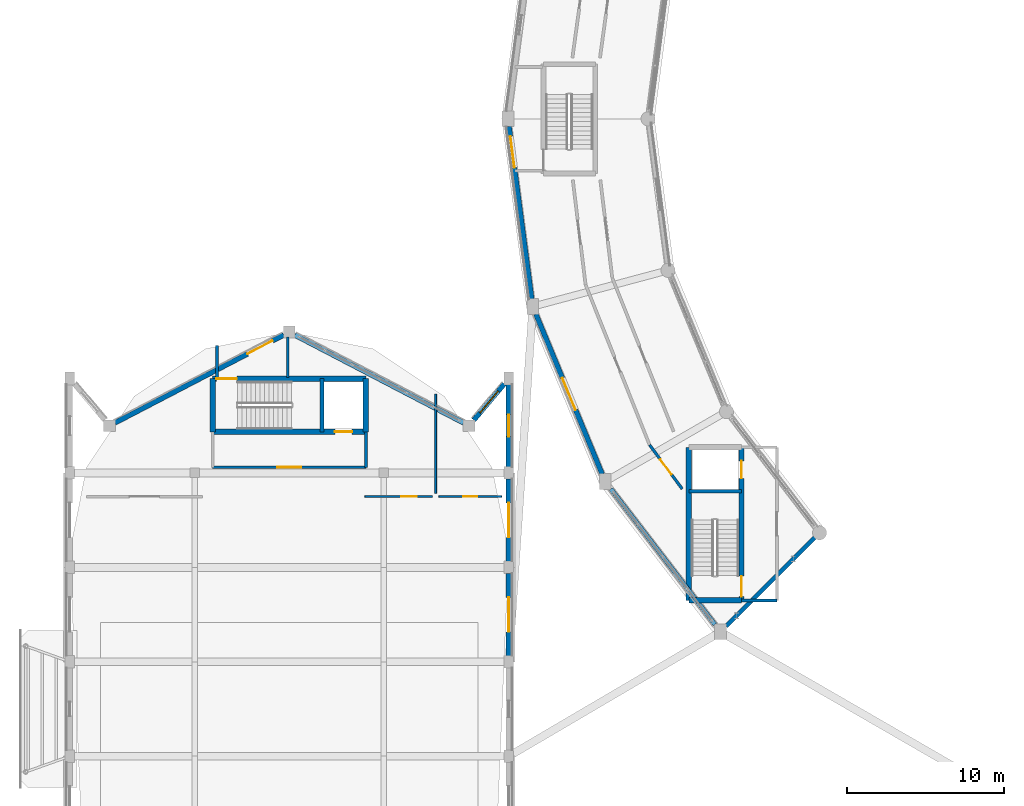
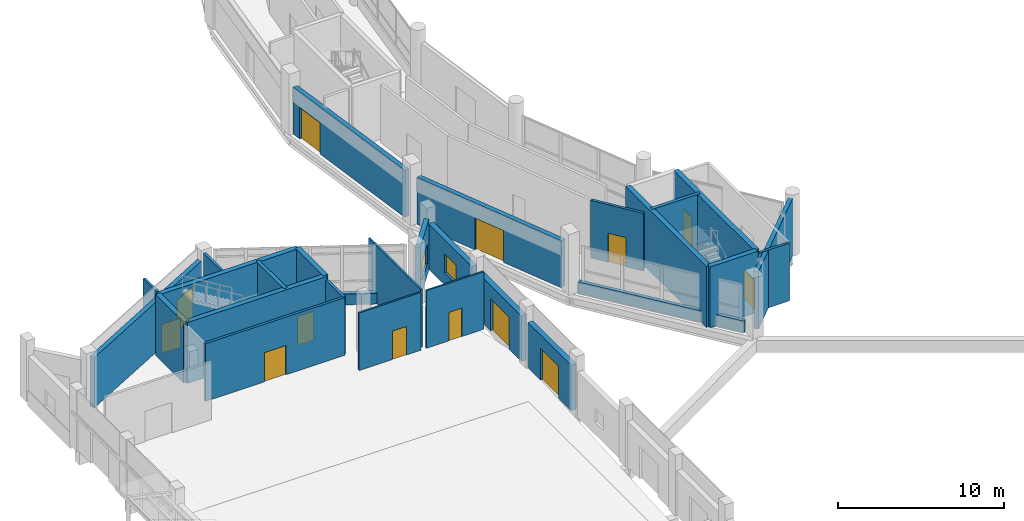
# One storey, part 106 of 129: 28 walls, 13 doors, 2 windows, 15 openings.
"""IFC4 building model written with IfcOpenShell, lengths in metres."""

from ifc_helpers import new_model, si_unit, direction, frame, frame_2d, origin, place, context, subcontext, project, spatial, rectangle, extrude, material, layer, layer_set, type_object, element, fill, save


model = new_model("IFC4")

# Units and contexts
model_context = context("Model", 3, precision=1e-05, world=origin(), true_north=direction((0.0, 1.0)))
body_context = subcontext(model_context, "Body", "Model", "MODEL_VIEW")
ifc_project = project(units=[si_unit("LENGTHUNIT", "METRE"), si_unit("AREAUNIT", "SQUARE_METRE"), si_unit("VOLUMEUNIT", "CUBIC_METRE"), si_unit("PLANEANGLEUNIT", "RADIAN"), si_unit("MASSUNIT", "GRAM", prefix="KILO")], contexts=[model_context])

# Site, building, storey
site_placement = place(None, origin())
site = spatial("IfcSite", under=ifc_project, at=site_placement, CompositionType="ELEMENT")
building_placement = place(site_placement, origin())
building = spatial("IfcBuilding", under=site, at=building_placement, Name="Vespera Passage Community Centre", CompositionType="ELEMENT")
storey_placement = place(building_placement, origin())
storey = spatial("IfcBuildingStorey", under=building, at=storey_placement, Name="L00", CompositionType="ELEMENT", Elevation=0.0)

# Wall, openings, doors
ifc_material_1 = material(Name="Concrete f'c 45 MPa", Category="concrete")
ifc_layer_1 = layer(ifc_material_1, 0.340087890625)
ifc_layer_set_1 = layer_set([ifc_layer_1], Name="Concrete f'c 45 MPa")
wall_type_1 = type_object("IfcWallType", Name="WT-CORE-340I", PredefinedType="SHEAR", material=ifc_layer_set_1)
wall_1_placement = place(storey_placement, frame((46.73095703125, 44.6298828125, 0.0), z_axis=(0.0, 0.0, 1.0), x_axis=(0.0, -1.0, 0.0)))
wall_1 = element("IfcWall", 1, at=wall_1_placement, inside=storey, type_object=wall_type_1, Name="Core C3 L00 Shear Wall FRONT", PredefinedType="SHEAR", context=body_context, shape_type="SweptSolid", body=[
    extrude(rectangle(XDim=9.72998046875, YDim=0.340087890625, at=frame_2d((4.864990234375, 0.0))), origin(), (0.0, 0.0, 1.0), 4.5),
])
opening_1_placement = place(wall_1_placement, frame((8.18994140625, 0.0, 0.0)))
opening_1 = element("IfcOpeningElement", 2, at=opening_1_placement, cuts=wall_1, Name="Opening DT-STAIR-130", PredefinedType="OPENING", context=body_context, shape_type="SweptSolid", body=[
    extrude(rectangle(XDim=1.300048828125, YDim=2.14990234375, at=frame_2d((0.64990234375, 1.074951171875))), frame((0.0, 0.179931640625, 0.0), z_axis=(0.0, -1.0, 0.0), x_axis=(1.0, 0.0, 0.0)), (0.0, 0.0, 1.0), 0.360107421875),
])
opening_2_placement = place(wall_1_placement, frame((0.8701171875, 0.0, 0.0)))
opening_2 = element("IfcOpeningElement", 3, at=opening_2_placement, cuts=wall_1, Name="Opening DT-LIFT-110", PredefinedType="OPENING", context=body_context, shape_type="SweptSolid", body=[
    extrude(rectangle(XDim=1.10009765625, YDim=2.14990234375, at=frame_2d((0.550048828125, 1.074951171875))), frame((0.0, 0.179931640625, 0.0), z_axis=(0.0, -1.0, 0.0), x_axis=(1.0, 0.0, 0.0)), (0.0, 0.0, 1.0), 0.360107421875),
])
ifc_material_2 = material(Name="Painted hollow-metal acoustic door", Category="steel")
door_type_1 = type_object("IfcDoorType", Name="DT-LIFT-110", OperationType="NOTDEFINED", PredefinedType="DOOR", material=ifc_material_2)
door_1_placement = place(opening_2_placement, origin())
door_1 = element("IfcDoor", 4, at=door_1_placement, inside=storey, type_object=door_type_1, Name="Elevator EL-01 L00 Landing Door LD-010", OperationType="SLIDING_TO_LEFT", OverallHeight=2.14990234375, OverallWidth=1.10009765625, PredefinedType="DOOR", context=body_context, shape_type="SweptSolid", body=[
    extrude(rectangle(XDim=1.10009765625, YDim=2.14990234375, at=frame_2d((0.550048828125, 1.074951171875))), frame((0.0, 0.02490234375, 0.0), z_axis=(0.0, -1.0, 0.0), x_axis=(1.0, 0.0, 0.0)), (0.0, 0.0, 1.0), 0.050048828125),
])
fill(opening_2, door_1)
ifc_material_3 = material(Name="Painted hollow-metal acoustic door", Category="steel")
door_type_2 = type_object("IfcDoorType", Name="DT-STAIR-130", OperationType="NOTDEFINED", PredefinedType="DOOR", material=ifc_material_3)
door_2_placement = place(opening_1_placement, origin())
door_2 = element("IfcDoor", 5, at=door_2_placement, inside=storey, type_object=door_type_2, Name="Core C3 L00 Exit Stair Door D-074", OperationType="SINGLE_SWING_RIGHT", OverallHeight=2.14990234375, OverallWidth=1.300048828125, PredefinedType="DOOR", context=body_context, shape_type="SweptSolid", body=[
    extrude(rectangle(XDim=1.300048828125, YDim=2.14990234375, at=frame_2d((0.64990234375, 1.074951171875))), frame((0.0, 0.02490234375, 0.0), z_axis=(0.0, -1.0, 0.0), x_axis=(1.0, 0.0, 0.0)), (0.0, 0.0, 1.0), 0.050048828125),
])
fill(opening_1, door_2)

# Walls
wall_2_placement = place(storey_placement, frame((46.73095703125, 34.89990234375, 0.0), z_axis=(0.0, 0.0, 1.0), x_axis=(-1.0, 0.0, 0.0)))
element("IfcWall", 6, at=wall_2_placement, inside=storey, type_object=wall_type_1, Name="Core C3 L00 Shear Wall LEFT", PredefinedType="SHEAR", context=body_context, shape_type="SweptSolid", body=[
    extrude(rectangle(XDim=3.33984375, YDim=0.340087890625, at=frame_2d((1.669921875, 0.0))), origin(), (0.0, 0.0, 1.0), 4.5),
])
wall_3_placement = place(storey_placement, frame((43.39111328125, 34.89990234375, 0.0), z_axis=(0.0, 0.0, 1.0), x_axis=(0.0, 1.0, 0.0)))
element("IfcWall", 7, at=wall_3_placement, inside=storey, type_object=wall_type_1, Name="Core C3 L00 Shear Wall BACK", PredefinedType="SHEAR", context=body_context, shape_type="SweptSolid", body=[
    extrude(rectangle(XDim=9.72998046875, YDim=0.340087890625, at=frame_2d((4.864990234375, 0.0))), origin(), (0.0, 0.0, 1.0), 4.5),
])

# Wall, opening, door
wall_4_placement = place(storey_placement, frame((22.864990234375, 45.610107421875, 0.0), z_axis=(0.0, 0.0, 1.0), x_axis=(-1.0, 0.0, 0.0)))
wall_4 = element("IfcWall", 8, at=wall_4_placement, inside=storey, type_object=wall_type_1, Name="Core C5 L00 Shear Wall FRONT", PredefinedType="SHEAR", context=body_context, shape_type="SweptSolid", body=[
    extrude(rectangle(XDim=9.72998046875, YDim=0.340087890625, at=frame_2d((4.864990234375, 0.0))), origin(), (0.0, 0.0, 1.0), 4.5),
])
opening_3_placement = place(wall_4_placement, frame((0.8701171875, 0.0, 0.0)))
opening_3 = element("IfcOpeningElement", 9, at=opening_3_placement, cuts=wall_4, Name="Opening DT-LIFT-110", PredefinedType="OPENING", context=body_context, shape_type="SweptSolid", body=[
    extrude(rectangle(XDim=1.10009765625, YDim=2.14990234375, at=frame_2d((0.550048828125, 1.074951171875))), frame((0.0, 0.179931640625, 0.0), z_axis=(0.0, -1.0, 0.0), x_axis=(1.0, 0.0, 0.0)), (0.0, 0.0, 1.0), 0.360107421875),
])
door_3_placement = place(opening_3_placement, origin())
door_3 = element("IfcDoor", 10, at=door_3_placement, inside=storey, type_object=door_type_1, Name="Elevator EL-04 L00 Landing Door LD-024", OperationType="SLIDING_TO_LEFT", OverallHeight=2.14990234375, OverallWidth=1.10009765625, PredefinedType="DOOR", context=body_context, shape_type="SweptSolid", body=[
    extrude(rectangle(XDim=1.10009765625, YDim=2.14990234375, at=frame_2d((0.550048828125, 1.074951171875))), frame((0.0, 0.02490234375, 0.0), z_axis=(0.0, -1.0, 0.0), x_axis=(1.0, 0.0, 0.0)), (0.0, 0.0, 1.0), 0.050048828125),
])
fill(opening_3, door_3)

# Wall
wall_5_placement = place(storey_placement, frame((13.135009765625, 45.610107421875, 0.0), z_axis=(0.0, 0.0, 1.0), x_axis=(0.0, 1.0, 0.0)))
element("IfcWall", 11, at=wall_5_placement, inside=storey, type_object=wall_type_1, Name="Core C5 L00 Shear Wall LEFT", PredefinedType="SHEAR", context=body_context, shape_type="SweptSolid", body=[
    extrude(rectangle(XDim=3.3798828125, YDim=0.340087890625, at=frame_2d((1.68994140625, 0.0))), origin(), (0.0, 0.0, 1.0), 4.5),
])

# Wall, opening, door
wall_6_placement = place(storey_placement, frame((13.135009765625, 48.989990234375, 0.0), z_axis=(0.0, 0.0, 1.0), x_axis=(1.0, 0.0, 0.0)))
wall_6 = element("IfcWall", 12, at=wall_6_placement, inside=storey, type_object=wall_type_1, Name="Core C5 L00 Shear Wall BACK", PredefinedType="SHEAR", context=body_context, shape_type="SweptSolid", body=[
    extrude(rectangle(XDim=9.72998046875, YDim=0.340087890625, at=frame_2d((4.864990234375, 0.0))), origin(), (0.0, 0.0, 1.0), 4.5),
])
opening_4_placement = place(wall_6_placement, frame((0.239990234375, 0.0, 0.0)))
opening_4 = element("IfcOpeningElement", 13, at=opening_4_placement, cuts=wall_6, Name="Opening DT-STAIR-130", PredefinedType="OPENING", context=body_context, shape_type="SweptSolid", body=[
    extrude(rectangle(XDim=1.300048828125, YDim=2.14990234375, at=frame_2d((0.64990234375, 1.074951171875))), frame((0.0, 0.179931640625, 0.0), z_axis=(0.0, -1.0, 0.0), x_axis=(1.0, 0.0, 0.0)), (0.0, 0.0, 1.0), 0.360107421875),
])
door_4_placement = place(opening_4_placement, origin())
door_4 = element("IfcDoor", 14, at=door_4_placement, inside=storey, type_object=door_type_2, Name="Core C5 L00 Exit Stair Door D-102", OperationType="SINGLE_SWING_RIGHT", OverallHeight=2.14990234375, OverallWidth=1.300048828125, PredefinedType="DOOR", context=body_context, shape_type="SweptSolid", body=[
    extrude(rectangle(XDim=1.300048828125, YDim=2.14990234375, at=frame_2d((0.64990234375, 1.074951171875))), frame((0.0, 0.02490234375, 0.0), z_axis=(0.0, -1.0, 0.0), x_axis=(1.0, 0.0, 0.0)), (0.0, 0.0, 1.0), 0.050048828125),
])
fill(opening_4, door_4)

# Walls
wall_7_placement = place(storey_placement, frame((22.864990234375, 48.989990234375, 0.0), z_axis=(0.0, 0.0, 1.0), x_axis=(0.0, -1.0, 0.0)))
element("IfcWall", 15, at=wall_7_placement, inside=storey, type_object=wall_type_1, Name="Core C5 L00 Shear Wall RIGHT", PredefinedType="SHEAR", context=body_context, shape_type="SweptSolid", body=[
    extrude(rectangle(XDim=3.3798828125, YDim=0.340087890625, at=frame_2d((1.68994140625, 0.0))), origin(), (0.0, 0.0, 1.0), 4.5),
])
ifc_material_4 = material(Name="Gypsum board acoustic stud partition")
ifc_layer_2 = layer(ifc_material_4, 0.179931640625)
ifc_layer_set_2 = layer_set([ifc_layer_2], Name="Gypsum board acoustic stud partition")
wall_type_2 = type_object("IfcWallType", Name="WT-CORR-180I", PredefinedType="PARTITIONING", material=ifc_layer_set_2)
wall_8_placement = place(storey_placement, frame((46.73095703125, 34.89990234375, 0.0), z_axis=(0.0, 0.0, 1.0), x_axis=(1.0, 0.0, 0.0)))
element("IfcWall", 16, at=wall_8_placement, inside=storey, type_object=wall_type_2, Name="Core C3 L00 Lift Lobby Side Wall L", PredefinedType="PARTITIONING", context=body_context, shape_type="SweptSolid", body=[
    extrude(rectangle(XDim=2.25, YDim=0.179931640625, at=frame_2d((1.125, 0.0))), origin(), (0.0, 0.0, 1.0), 4.2548828125),
])

# Wall, opening, door
wall_9_placement = place(storey_placement, frame((13.135009765625, 43.360107421875, 0.0), z_axis=(0.0, 0.0, 1.0), x_axis=(1.0, 0.0, 0.0)))
wall_9 = element("IfcWall", 17, at=wall_9_placement, inside=storey, type_object=wall_type_2, Name="Core C5 L00 Lift Lobby Front Wall", PredefinedType="PARTITIONING", context=body_context, shape_type="SweptSolid", body=[
    extrude(rectangle(XDim=9.72998046875, YDim=0.179931640625, at=frame_2d((4.864990234375, 0.0))), origin(), (0.0, 0.0, 1.0), 4.2548828125),
])
opening_5_placement = place(wall_9_placement, frame((4.114990234375, 0.0, 0.0)))
opening_5 = element("IfcOpeningElement", 18, at=opening_5_placement, cuts=wall_9, Name="Opening DT-CORR-150", PredefinedType="OPENING", context=body_context, shape_type="SweptSolid", body=[
    extrude(rectangle(XDim=1.5, YDim=2.14990234375, at=frame_2d((0.75, 1.074951171875))), frame((0.0, 0.099853515625, 0.0), z_axis=(0.0, -1.0, 0.0), x_axis=(1.0, 0.0, 0.0)), (0.0, 0.0, 1.0), 0.199951171875),
])
ifc_material_5 = material(Name="Painted hollow-metal acoustic door", Category="steel")
door_type_3 = type_object("IfcDoorType", Name="DT-CORR-150", OperationType="NOTDEFINED", PredefinedType="DOOR", material=ifc_material_5)
door_5_placement = place(opening_5_placement, origin())
door_5 = element("IfcDoor", 19, at=door_5_placement, inside=storey, type_object=door_type_3, Name="Core C5 L00 Lift Lobby Door D-103", OperationType="SINGLE_SWING_LEFT", OverallHeight=2.14990234375, OverallWidth=1.5, PredefinedType="DOOR", context=body_context, shape_type="SweptSolid", body=[
    extrude(rectangle(XDim=1.5, YDim=2.14990234375, at=frame_2d((0.75, 1.074951171875))), frame((0.0, 0.02490234375, 0.0), z_axis=(0.0, -1.0, 0.0), x_axis=(1.0, 0.0, 0.0)), (0.0, 0.0, 1.0), 0.050048828125),
])
fill(opening_5, door_5)

# Walls
wall_10_placement = place(storey_placement, frame((22.864990234375, 45.610107421875, 0.0), z_axis=(0.0, 0.0, 1.0), x_axis=(0.0, -1.0, 0.0)))
element("IfcWall", 20, at=wall_10_placement, inside=storey, type_object=wall_type_2, Name="Core C5 L00 Lift Lobby Side Wall R", PredefinedType="PARTITIONING", context=body_context, shape_type="SweptSolid", body=[
    extrude(rectangle(XDim=2.25, YDim=0.179931640625, at=frame_2d((1.125, 0.0))), origin(), (0.0, 0.0, 1.0), 4.2548828125),
])
wall_11_placement = place(storey_placement, frame((13.39990234375, 49.050048828125, 0.0), z_axis=(0.0, 0.0, 1.0), x_axis=(0.0, 1.0, 0.0)))
element("IfcWall", 21, at=wall_11_placement, inside=storey, type_object=wall_type_2, Name="L00 Protected Exit Passageway Wall EP2-W", PredefinedType="PARTITIONING", context=body_context, shape_type="SweptSolid", body=[
    extrude(rectangle(XDim=2.050048828125, YDim=0.179931640625, at=frame_2d((1.02490234375, 0.0))), origin(), (0.0, 0.0, 1.0), 4.2548828125),
])
wall_12_placement = place(storey_placement, frame((17.89990234375, 49.050048828125, 0.0), z_axis=(0.0, 0.0, 1.0), x_axis=(0.0, 1.0, 0.0)))
element("IfcWall", 22, at=wall_12_placement, inside=storey, type_object=wall_type_2, Name="L00 Protected Exit Passageway Wall EP2-E", PredefinedType="PARTITIONING", context=body_context, shape_type="SweptSolid", body=[
    extrude(rectangle(XDim=2.599853515625, YDim=0.179931640625, at=frame_2d((1.2998046875, 0.0))), origin(), (0.0, 0.0, 1.0), 4.2548828125),
])

# Wall, opening, door
wall_13_placement = place(storey_placement, frame((40.894287109375, 44.777587890625, 0.0), z_axis=(0.0, 0.0, 1.0), x_axis=(0.59610205182, -0.802908677134, 0.0)))
wall_13 = element("IfcWall", 23, at=wall_13_placement, inside=storey, type_object=wall_type_2, Name="L00 Interior Partition V4-L00-CO11.1", PredefinedType="PARTITIONING", context=body_context, shape_type="SweptSolid", body=[
    extrude(rectangle(XDim=3.483642578125, YDim=0.179931640625, at=frame_2d((1.74169921875, 0.0))), origin(), (0.0, 0.0, 1.0), 4.2548828125),
])
opening_6_placement = place(wall_13_placement, frame((1.14208984375, 0.0, 0.0)))
opening_6 = element("IfcOpeningElement", 24, at=opening_6_placement, cuts=wall_13, Name="Opening DT-CORR-120", PredefinedType="OPENING", context=body_context, shape_type="SweptSolid", body=[
    extrude(rectangle(XDim=1.199951171875, YDim=2.14990234375, at=frame_2d((0.60009765625, 1.074951171875))), frame((0.0, 0.099853515625, 0.0), z_axis=(0.0, -1.0, 0.0), x_axis=(1.0, 0.0, 0.0)), (0.0, 0.0, 1.0), 0.199951171875),
])
ifc_material_6 = material(Name="Painted hollow-metal acoustic door", Category="steel")
door_type_4 = type_object("IfcDoorType", Name="DT-CORR-120", OperationType="NOTDEFINED", PredefinedType="DOOR", material=ifc_material_6)
door_6_placement = place(opening_6_placement, origin())
door_6 = element("IfcDoor", 25, at=door_6_placement, inside=storey, type_object=door_type_4, Name="L00 Interior Door D-160", OperationType="SINGLE_SWING_RIGHT", OverallHeight=2.14990234375, OverallWidth=1.199951171875, PredefinedType="DOOR", context=body_context, shape_type="SweptSolid", body=[
    extrude(rectangle(XDim=1.199951171875, YDim=2.14990234375, at=frame_2d((0.60009765625, 1.074951171875))), frame((0.0, 0.02490234375, 0.0), z_axis=(0.0, -1.0, 0.0), x_axis=(1.0, 0.0, 0.0)), (0.0, 0.0, 1.0), 0.050048828125),
])
fill(opening_6, door_6)

# Walls
ifc_material_7 = material(Name="Concrete f'c 45 MPa", Category="concrete")
ifc_layer_3 = layer(ifc_material_7, 0.239990234375)
ifc_layer_set_3 = layer_set([ifc_layer_3], Name="Concrete f'c 45 MPa")
wall_type_3 = type_object("IfcWallType", Name="WT-DIV-240I", PredefinedType="SHEAR", material=ifc_layer_set_3)
wall_14_placement = place(storey_placement, frame((46.73095703125, 41.840087890625, 0.0), z_axis=(0.0, 0.0, 1.0), x_axis=(-1.0, 0.0, 0.0)))
element("IfcWall", 26, at=wall_14_placement, inside=storey, type_object=wall_type_3, Name="Core C3 L00 Hoistway Divider Wall", PredefinedType="SHEAR", context=body_context, shape_type="SweptSolid", body=[
    extrude(rectangle(XDim=3.33984375, YDim=0.239990234375, at=frame_2d((1.669921875, 0.0))), origin(), (0.0, 0.0, 1.0), 4.5),
])
wall_15_placement = place(storey_placement, frame((20.074951171875, 45.610107421875, 0.0), z_axis=(0.0, 0.0, 1.0), x_axis=(0.0, 1.0, 0.0)))
element("IfcWall", 27, at=wall_15_placement, inside=storey, type_object=wall_type_3, Name="Core C5 L00 Hoistway Divider Wall", PredefinedType="SHEAR", context=body_context, shape_type="SweptSolid", body=[
    extrude(rectangle(XDim=3.3798828125, YDim=0.239990234375, at=frame_2d((1.68994140625, 0.0))), origin(), (0.0, 0.0, 1.0), 4.5),
])
ifc_material_8 = material(Name="Precast concrete f'c 40 MPa", Category="concrete")
ifc_layer_4 = layer(ifc_material_8, 0.280029296875)
ifc_layer_set_4 = layer_set([ifc_layer_4], Name="Precast concrete f'c 40 MPa")
wall_type_4 = type_object("IfcWallType", Name="WT-EXT-280E", PredefinedType="STANDARD", material=ifc_layer_set_4)
wall_16_placement = place(storey_placement, frame((45.04248046875, 33.371337890625, 0.0), z_axis=(0.0, 0.0, 1.0), x_axis=(-0.608753590889, 0.79335935463, 0.0)))
element("IfcWall", 28, at=wall_16_placement, inside=storey, type_object=wall_type_4, Name="V4 L00 Spandrel Wall O14", PredefinedType="STANDARD", context=body_context, shape_type="SweptSolid", body=[
    extrude(rectangle(XDim=10.852294921875, YDim=0.280029296875, at=frame_2d((5.42626953125, 0.0))), origin(), (0.0, 0.0, 1.0), 0.820068359375),
])
wall_17_placement = place(storey_placement, frame((51.413330078125, 38.913330078125, 0.0), z_axis=(0.0, 0.0, 1.0), x_axis=(-0.707106781187, -0.707106781187, 0.0)))
element("IfcWall", 29, at=wall_17_placement, inside=storey, type_object=wall_type_4, Name="V4 L00 Radial End Facade Wall END", PredefinedType="STANDARD", context=body_context, shape_type="SweptSolid", body=[
    extrude(rectangle(XDim=7.995361328125, YDim=0.280029296875, at=frame_2d((3.99755859375, 0.0))), origin(), (0.0, 0.0, 1.0), 4.25),
])

# Wall, opening, door
ifc_material_9 = material(Name="Precast concrete f'c 40 MPa", Category="concrete")
ifc_layer_5 = layer(ifc_material_9, 0.320068359375)
ifc_layer_set_5 = layer_set([ifc_layer_5], Name="Precast concrete f'c 40 MPa")
wall_type_5 = type_object("IfcWallType", Name="WT-EXT-320E", PredefinedType="STANDARD", material=ifc_layer_set_5)
wall_18_placement = place(storey_placement, frame((33.408203125, 54.043701171875, 0.0), z_axis=(0.0, 0.0, 1.0), x_axis=(-0.130513242145, 0.991446566197, 0.0)))
wall_18 = element("IfcWall", 30, at=wall_18_placement, inside=storey, type_object=wall_type_5, Name="V4 L00 Outer Precast Wall 12", PredefinedType="STANDARD", context=body_context, shape_type="SweptSolid", body=[
    extrude(rectangle(XDim=11.075927734375, YDim=0.320068359375, at=frame_2d((5.5380859375, 0.0))), origin(), (0.0, 0.0, 1.0), 3.465576171875),
])
opening_7_placement = place(wall_18_placement, frame((8.42578125, 0.0, 0.0)))
opening_7 = element("IfcOpeningElement", 31, at=opening_7_placement, cuts=wall_18, Name="Opening DT-E06", PredefinedType="OPENING", context=body_context, shape_type="SweptSolid", body=[
    extrude(rectangle(XDim=2.0, YDim=2.300048828125, at=frame_2d((1.0, 1.14990234375))), frame((0.0, 0.170166015625, 0.0), z_axis=(0.0, -1.0, 0.0), x_axis=(1.0, 0.0, 0.0)), (0.0, 0.0, 1.0), 0.340087890625),
])
ifc_material_10 = material(Name="Anodized aluminium 6063-T6", Category="aluminium")
door_type_5 = type_object("IfcDoorType", Name="DT-E06", OperationType="NOTDEFINED", PredefinedType="DOOR", material=ifc_material_10)
door_7_placement = place(opening_7_placement, origin())
door_7 = element("IfcDoor", 32, at=door_7_placement, inside=storey, type_object=door_type_5, Name="Exit Stair ST04 Exterior Discharge Door", OperationType="SINGLE_SWING_LEFT", OverallHeight=2.300048828125, OverallWidth=2.0, PredefinedType="DOOR", context=body_context, shape_type="SweptSolid", body=[
    extrude(rectangle(XDim=2.0, YDim=2.300048828125, at=frame_2d((1.0, 1.14990234375))), frame((0.0, 0.02490234375, 0.0), z_axis=(0.0, -1.0, 0.0), x_axis=(1.0, 0.0, 0.0)), (0.0, 0.0, 1.0), 0.050048828125),
])
fill(opening_7, door_7)

wall_19_placement = place(storey_placement, frame((37.878662109375, 42.927001953125, 0.0), z_axis=(0.0, 0.0, 1.0), x_axis=(-0.382695413149, 0.923874569817, 0.0)))
wall_19 = element("IfcWall", 33, at=wall_19_placement, inside=storey, type_object=wall_type_5, Name="V4 L00 Outer Precast Wall 13", PredefinedType="STANDARD", context=body_context, shape_type="SweptSolid", body=[
    extrude(rectangle(XDim=11.002197265625, YDim=0.320068359375, at=frame_2d((5.5009765625, 0.0))), origin(), (0.0, 0.0, 1.0), 3.465576171875),
])
opening_8_placement = place(wall_19_placement, frame((4.401123046875, 0.0, 0.0)))
opening_8 = element("IfcOpeningElement", 34, at=opening_8_placement, cuts=wall_19, Name="Opening DT-E07", PredefinedType="OPENING", context=body_context, shape_type="SweptSolid", body=[
    extrude(rectangle(XDim=2.199951171875, YDim=2.35009765625, at=frame_2d((1.10009765625, 1.175048828125))), frame((0.0, 0.170166015625, 0.0), z_axis=(0.0, -1.0, 0.0), x_axis=(1.0, 0.0, 0.0)), (0.0, 0.0, 1.0), 0.340087890625),
])
ifc_material_11 = material(Name="Anodized aluminium 6063-T6", Category="aluminium")
door_type_6 = type_object("IfcDoorType", Name="DT-E07", OperationType="NOTDEFINED", PredefinedType="DOOR", material=ifc_material_11)
door_8_placement = place(opening_8_placement, origin())
door_8 = element("IfcDoor", 35, at=door_8_placement, inside=storey, type_object=door_type_6, Name="V4 L00 Exterior Exit Door O13", OperationType="SINGLE_SWING_LEFT", OverallHeight=2.35009765625, OverallWidth=2.199951171875, PredefinedType="DOOR", context=body_context, shape_type="SweptSolid", body=[
    extrude(rectangle(XDim=2.199951171875, YDim=2.35009765625, at=frame_2d((1.10009765625, 1.175048828125))), frame((0.0, 0.02490234375, 0.0), z_axis=(0.0, -1.0, 0.0), x_axis=(1.0, 0.0, 0.0)), (0.0, 0.0, 1.0), 0.050048828125),
])
fill(opening_8, door_8)

wall_20_placement = place(storey_placement, frame((6.925537109375, 46.18505859375, 0.0), z_axis=(0.0, 0.0, 1.0), x_axis=(0.887012674584, 0.46174507591, 0.0)))
wall_20 = element("IfcWall", 36, at=wall_20_placement, inside=storey, type_object=wall_type_5, Name="V1 L00 N Apse Wall 2", PredefinedType="STANDARD", context=body_context, shape_type="SweptSolid", body=[
    extrude(rectangle(XDim=12.08740234375, YDim=0.320068359375, at=frame_2d((6.043701171875, 0.0))), origin(), (0.0, 0.0, 1.0), 3.7099609375),
])
opening_9_placement = place(wall_20_placement, frame((9.4873046875, 0.0, 0.0)))
opening_9 = element("IfcOpeningElement", 37, at=opening_9_placement, cuts=wall_20, Name="Opening DT-E05", PredefinedType="OPENING", context=body_context, shape_type="SweptSolid", body=[
    extrude(rectangle(XDim=1.800048828125, YDim=2.25, at=frame_2d((0.89990234375, 1.125))), frame((0.0, 0.170166015625, 0.0), z_axis=(0.0, -1.0, 0.0), x_axis=(1.0, 0.0, 0.0)), (0.0, 0.0, 1.0), 0.340087890625),
])
ifc_material_12 = material(Name="Anodized aluminium 6063-T6", Category="aluminium")
door_type_7 = type_object("IfcDoorType", Name="DT-E05", OperationType="NOTDEFINED", PredefinedType="DOOR", material=ifc_material_12)
door_9_placement = place(opening_9_placement, origin())
door_9 = element("IfcDoor", 38, at=door_9_placement, inside=storey, type_object=door_type_7, Name="Exit Stair ST01 Exterior Discharge Door", OperationType="SINGLE_SWING_RIGHT", OverallHeight=2.25, OverallWidth=1.800048828125, PredefinedType="DOOR", context=body_context, shape_type="SweptSolid", body=[
    extrude(rectangle(XDim=1.800048828125, YDim=2.25, at=frame_2d((0.89990234375, 1.125))), frame((0.0, 0.02490234375, 0.0), z_axis=(0.0, -1.0, 0.0), x_axis=(1.0, 0.0, 0.0)), (0.0, 0.0, 1.0), 0.050048828125),
])
fill(opening_9, door_9)

# Wall
wall_21_placement = place(storey_placement, frame((18.352783203125, 51.766357421875, 0.0), z_axis=(0.0, 0.0, 1.0), x_axis=(0.887012674584, -0.46174507591, 0.0)))
element("IfcWall", 39, at=wall_21_placement, inside=storey, type_object=wall_type_5, Name="V1 L00 N Apse Spandrel 3", PredefinedType="STANDARD", context=body_context, shape_type="SweptSolid", body=[
    extrude(rectangle(XDim=12.08740234375, YDim=0.320068359375, at=frame_2d((6.043701171875, 0.0))), origin(), (0.0, 0.0, 1.0), 0.800048828125),
])

# Wall, opening, window
wall_22_placement = place(storey_placement, frame((29.7265625, 46.357421875, 0.0), z_axis=(0.0, 0.0, 1.0), x_axis=(0.643796278673, 0.765196936459, 0.0)))
wall_22 = element("IfcWall", 40, at=wall_22_placement, inside=storey, type_object=wall_type_5, Name="V1 L00 N Apse Wall 4", PredefinedType="STANDARD", context=body_context, shape_type="SweptSolid", body=[
    extrude(rectangle(XDim=3.012451171875, YDim=0.320068359375, at=frame_2d((1.50634765625, 0.0))), origin(), (0.0, 0.0, 1.0), 3.7099609375),
])
opening_10_placement = place(wall_22_placement, frame((0.606201171875, 0.0, 0.85009765625)))
opening_10 = element("IfcOpeningElement", 41, at=opening_10_placement, cuts=wall_22, Name="Opening WN-06E", PredefinedType="OPENING", context=body_context, shape_type="SweptSolid", body=[
    extrude(rectangle(XDim=1.800048828125, YDim=1.39990234375, at=frame_2d((0.89990234375, 0.699951171875))), frame((0.0, 0.170166015625, 0.0), z_axis=(0.0, -1.0, 0.0), x_axis=(1.0, 0.0, 0.0)), (0.0, 0.0, 1.0), 0.340087890625),
])
ifc_material_13 = material(Name="Low-E insulated vision glass", Category="glass")
window_type_1 = type_object("IfcWindowType", Name="WN-06E", PartitioningType="SINGLE_PANEL", PredefinedType="WINDOW", material=ifc_material_13)
window_1_placement = place(opening_10_placement, origin())
window_1 = element("IfcWindow", 42, at=window_1_placement, inside=storey, type_object=window_type_1, Name="Window WN-V1-L00-APN4", OverallHeight=1.39990234375, OverallWidth=1.800048828125, PartitioningType="SINGLE_PANEL", PredefinedType="WINDOW", context=body_context, shape_type="SweptSolid", body=[
    extrude(rectangle(XDim=1.800048828125, YDim=1.39990234375, at=frame_2d((0.89990234375, 0.699951171875))), frame((0.0, 0.030029296875, 0.0), z_axis=(0.0, -1.0, 0.0), x_axis=(1.0, 0.0, 0.0)), (0.0, 0.0, 1.0), 0.06005859375),
])
fill(opening_10, window_1)

# Wall, opening, door
ifc_material_14 = material(Name="Precast concrete f'c 40 MPa", Category="concrete")
ifc_layer_6 = layer(ifc_material_14, 0.360107421875)
ifc_layer_set_6 = layer_set([ifc_layer_6], Name="Precast concrete f'c 40 MPa")
wall_type_6 = type_object("IfcWallType", Name="WT-EXT-360E", PredefinedType="STANDARD", material=ifc_layer_set_6)
wall_23_placement = place(storey_placement, frame((31.949951171875, 36.625, 0.0), z_axis=(0.0, 0.0, 1.0), x_axis=(0.0, -1.0, 0.0)))
wall_23 = element("IfcWall", 43, at=wall_23_placement, inside=storey, type_object=wall_type_6, Name="V1 L00 Facade Wall E5", PredefinedType="STANDARD", context=body_context, shape_type="SweptSolid", body=[
    extrude(rectangle(XDim=5.25, YDim=0.360107421875, at=frame_2d((2.625, 0.0))), origin(), (0.0, 0.0, 1.0), 3.344970703125),
])
opening_11_placement = place(wall_23_placement, frame((1.52490234375, 0.0, 0.0)))
opening_11 = element("IfcOpeningElement", 44, at=opening_11_placement, cuts=wall_23, Name="Opening DT-E07", PredefinedType="OPENING", context=body_context, shape_type="SweptSolid", body=[
    extrude(rectangle(XDim=2.199951171875, YDim=2.35009765625, at=frame_2d((1.10009765625, 1.175048828125))), frame((0.0, 0.190185546875, 0.0), z_axis=(0.0, -1.0, 0.0), x_axis=(1.0, 0.0, 0.0)), (0.0, 0.0, 1.0), 0.380126953125),
])
door_10_placement = place(opening_11_placement, origin())
door_10 = element("IfcDoor", 45, at=door_10_placement, inside=storey, type_object=door_type_6, Name="Main Hall Exit Door E5", OperationType="SINGLE_SWING_LEFT", OverallHeight=2.35009765625, OverallWidth=2.199951171875, PredefinedType="DOOR", context=body_context, shape_type="SweptSolid", body=[
    extrude(rectangle(XDim=2.199951171875, YDim=2.35009765625, at=frame_2d((1.10009765625, 1.175048828125))), frame((0.0, 0.02490234375, 0.0), z_axis=(0.0, -1.0, 0.0), x_axis=(1.0, 0.0, 0.0)), (0.0, 0.0, 1.0), 0.050048828125),
])
fill(opening_11, door_10)

wall_24_placement = place(storey_placement, frame((31.949951171875, 42.625, 0.0), z_axis=(0.0, 0.0, 1.0), x_axis=(0.0, -1.0, 0.0)))
wall_24 = element("IfcWall", 46, at=wall_24_placement, inside=storey, type_object=wall_type_6, Name="V1 L00 Facade Wall E6", PredefinedType="STANDARD", context=body_context, shape_type="SweptSolid", body=[
    extrude(rectangle(XDim=5.25, YDim=0.360107421875, at=frame_2d((2.625, 0.0))), origin(), (0.0, 0.0, 1.0), 3.344970703125),
])
opening_12_placement = place(wall_24_placement, frame((1.52490234375, 0.0, 0.0)))
opening_12 = element("IfcOpeningElement", 47, at=opening_12_placement, cuts=wall_24, Name="Opening DT-E07", PredefinedType="OPENING", context=body_context, shape_type="SweptSolid", body=[
    extrude(rectangle(XDim=2.199951171875, YDim=2.35009765625, at=frame_2d((1.10009765625, 1.175048828125))), frame((0.0, 0.190185546875, 0.0), z_axis=(0.0, -1.0, 0.0), x_axis=(1.0, 0.0, 0.0)), (0.0, 0.0, 1.0), 0.380126953125),
])
door_11_placement = place(opening_12_placement, origin())
door_11 = element("IfcDoor", 48, at=door_11_placement, inside=storey, type_object=door_type_6, Name="Main Hall Exit Door E6", OperationType="SINGLE_SWING_LEFT", OverallHeight=2.35009765625, OverallWidth=2.199951171875, PredefinedType="DOOR", context=body_context, shape_type="SweptSolid", body=[
    extrude(rectangle(XDim=2.199951171875, YDim=2.35009765625, at=frame_2d((1.10009765625, 1.175048828125))), frame((0.0, 0.02490234375, 0.0), z_axis=(0.0, -1.0, 0.0), x_axis=(1.0, 0.0, 0.0)), (0.0, 0.0, 1.0), 0.050048828125),
])
fill(opening_12, door_11)

# Wall, opening, window
wall_25_placement = place(storey_placement, frame((31.949951171875, 48.625, 0.0), z_axis=(0.0, 0.0, 1.0), x_axis=(0.0, -1.0, 0.0)))
wall_25 = element("IfcWall", 49, at=wall_25_placement, inside=storey, type_object=wall_type_6, Name="V1 L00 Facade Wall E7", PredefinedType="STANDARD", context=body_context, shape_type="SweptSolid", body=[
    extrude(rectangle(XDim=5.25, YDim=0.360107421875, at=frame_2d((2.625, 0.0))), origin(), (0.0, 0.0, 1.0), 3.344970703125),
])
opening_13_placement = place(wall_25_placement, frame((1.925048828125, 0.0, 0.89990234375)))
opening_13 = element("IfcOpeningElement", 50, at=opening_13_placement, cuts=wall_25, Name="Opening WN-04E", PredefinedType="OPENING", context=body_context, shape_type="SweptSolid", body=[
    extrude(rectangle(XDim=1.39990234375, YDim=1.39990234375, at=frame_2d((0.699951171875, 0.699951171875))), frame((0.0, 0.190185546875, 0.0), z_axis=(0.0, -1.0, 0.0), x_axis=(1.0, 0.0, 0.0)), (0.0, 0.0, 1.0), 0.380126953125),
])
ifc_material_15 = material(Name="Low-E insulated vision glass", Category="glass")
window_type_2 = type_object("IfcWindowType", Name="WN-04E", PartitioningType="SINGLE_PANEL", PredefinedType="WINDOW", material=ifc_material_15)
window_2_placement = place(opening_13_placement, origin())
window_2 = element("IfcWindow", 51, at=window_2_placement, inside=storey, type_object=window_type_2, Name="Window WN-V1-L00-E7", OverallHeight=1.39990234375, OverallWidth=1.39990234375, PartitioningType="SINGLE_PANEL", PredefinedType="WINDOW", context=body_context, shape_type="SweptSolid", body=[
    extrude(rectangle(XDim=1.39990234375, YDim=1.39990234375, at=frame_2d((0.699951171875, 0.699951171875))), frame((0.0, 0.030029296875, 0.0), z_axis=(0.0, -1.0, 0.0), x_axis=(1.0, 0.0, 0.0)), (0.0, 0.0, 1.0), 0.06005859375),
])
fill(opening_13, window_2)

# Wall, opening, door
ifc_material_16 = material(Name="Moisture-resistant gypsum stud partition")
ifc_layer_7 = layer(ifc_material_16, 0.1201171875)
ifc_layer_set_7 = layer_set([ifc_layer_7], Name="Moisture-resistant gypsum stud partition")
wall_type_7 = type_object("IfcWallType", Name="WT-WET-120I", PredefinedType="PARTITIONING", material=ifc_layer_set_7)
wall_26_placement = place(storey_placement, frame((22.800048828125, 41.5, 0.0), z_axis=(0.0, 0.0, 1.0), x_axis=(1.0, 0.0, 0.0)))
wall_26 = element("IfcWall", 52, at=wall_26_placement, inside=storey, type_object=wall_type_7, Name="L00 Interior Partition V1-L00-WC-SW.1", PredefinedType="PARTITIONING", context=body_context, shape_type="SweptSolid", body=[
    extrude(rectangle(XDim=4.300048828125, YDim=0.1201171875, at=frame_2d((2.14990234375, 0.0))), origin(), (0.0, 0.0, 1.0), 4.2548828125),
])
opening_14_placement = place(wall_26_placement, frame((2.323974609375, 0.0, 0.0)))
opening_14 = element("IfcOpeningElement", 53, at=opening_14_placement, cuts=wall_26, Name="Opening DT-INT-98", PredefinedType="OPENING", context=body_context, shape_type="SweptSolid", body=[
    extrude(rectangle(XDim=0.97998046875, YDim=2.10009765625, at=frame_2d((0.489990234375, 1.050048828125))), frame((0.0, 0.070068359375, 0.0), z_axis=(0.0, -1.0, 0.0), x_axis=(1.0, 0.0, 0.0)), (0.0, 0.0, 1.0), 0.14013671875),
])
ifc_material_17 = material(Name="Solid-core maple veneer door", Category="wood")
door_type_8 = type_object("IfcDoorType", Name="DT-INT-98", OperationType="NOTDEFINED", PredefinedType="DOOR", material=ifc_material_17)
door_12_placement = place(opening_14_placement, origin())
door_12 = element("IfcDoor", 54, at=door_12_placement, inside=storey, type_object=door_type_8, Name="L00 Interior Door D-333", OperationType="SINGLE_SWING_LEFT", OverallHeight=2.10009765625, OverallWidth=0.97998046875, PredefinedType="DOOR", context=body_context, shape_type="SweptSolid", body=[
    extrude(rectangle(XDim=0.97998046875, YDim=2.10009765625, at=frame_2d((0.489990234375, 1.050048828125))), frame((0.0, 0.02490234375, 0.0), z_axis=(0.0, -1.0, 0.0), x_axis=(1.0, 0.0, 0.0)), (0.0, 0.0, 1.0), 0.050048828125),
])
fill(opening_14, door_12)

wall_27_placement = place(storey_placement, frame((27.5, 41.5, 0.0), z_axis=(0.0, 0.0, 1.0), x_axis=(1.0, 0.0, 0.0)))
wall_27 = element("IfcWall", 55, at=wall_27_placement, inside=storey, type_object=wall_type_7, Name="L00 Interior Partition V1-L00-WC-SE.1", PredefinedType="PARTITIONING", context=body_context, shape_type="SweptSolid", body=[
    extrude(rectangle(XDim=4.0, YDim=0.1201171875, at=frame_2d((2.0, 0.0))), origin(), (0.0, 0.0, 1.0), 4.2548828125),
])
opening_15_placement = place(wall_27_placement, frame((1.550048828125, 0.0, 0.0)))
opening_15 = element("IfcOpeningElement", 56, at=opening_15_placement, cuts=wall_27, Name="Opening DT-INT-90", PredefinedType="OPENING", context=body_context, shape_type="SweptSolid", body=[
    extrude(rectangle(XDim=0.89990234375, YDim=2.10009765625, at=frame_2d((0.449951171875, 1.050048828125))), frame((0.0, 0.070068359375, 0.0), z_axis=(0.0, -1.0, 0.0), x_axis=(1.0, 0.0, 0.0)), (0.0, 0.0, 1.0), 0.14013671875),
])
ifc_material_18 = material(Name="Solid-core maple veneer door", Category="wood")
door_type_9 = type_object("IfcDoorType", Name="DT-INT-90", OperationType="NOTDEFINED", PredefinedType="DOOR", material=ifc_material_18)
door_13_placement = place(opening_15_placement, origin())
door_13 = element("IfcDoor", 57, at=door_13_placement, inside=storey, type_object=door_type_9, Name="L00 Interior Door D-334", OperationType="SINGLE_SWING_RIGHT", OverallHeight=2.10009765625, OverallWidth=0.89990234375, PredefinedType="DOOR", context=body_context, shape_type="SweptSolid", body=[
    extrude(rectangle(XDim=0.89990234375, YDim=2.10009765625, at=frame_2d((0.449951171875, 1.050048828125))), frame((0.0, 0.02490234375, 0.0), z_axis=(0.0, -1.0, 0.0), x_axis=(1.0, 0.0, 0.0)), (0.0, 0.0, 1.0), 0.050048828125),
])
fill(opening_15, door_13)

# Wall
wall_28_placement = place(storey_placement, frame((27.300048828125, 41.699951171875, 0.0), z_axis=(0.0, 0.0, 1.0), x_axis=(0.0, 1.0, 0.0)))
element("IfcWall", 58, at=wall_28_placement, inside=storey, type_object=wall_type_7, Name="L00 Interior Partition V1-L00-WC-DIV.1", PredefinedType="PARTITIONING", context=body_context, shape_type="SweptSolid", body=[
    extrude(rectangle(XDim=6.300048828125, YDim=0.1201171875, at=frame_2d((3.14990234375, 0.0))), origin(), (0.0, 0.0, 1.0), 4.2548828125),
])

save(model, "model.ifc")
